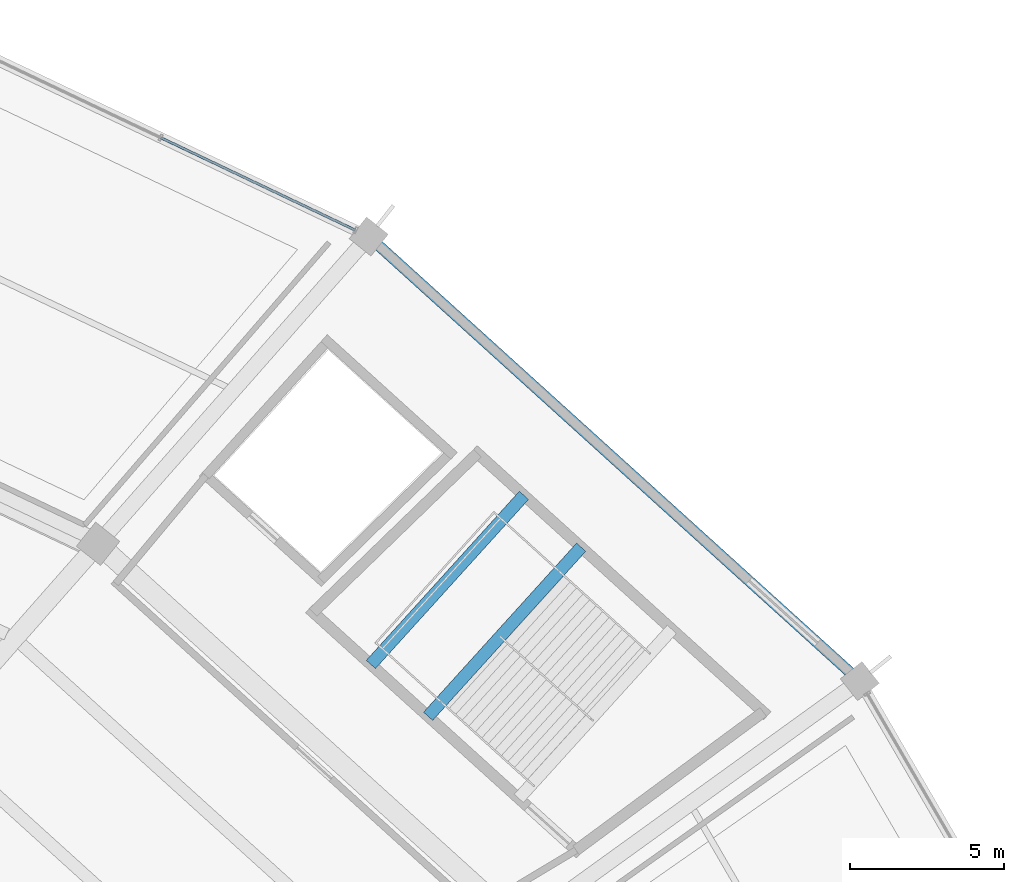
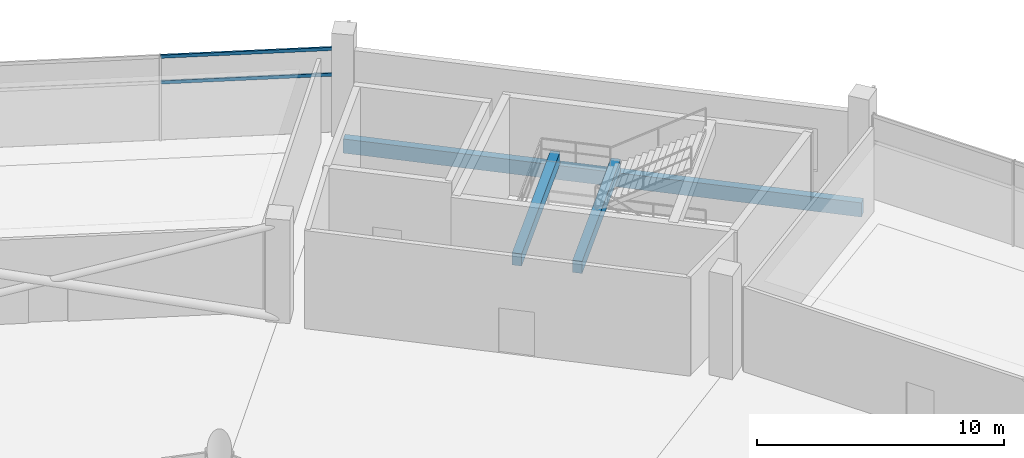
# One storey, part 131 of 184: 3 beams, 2 members, 1 element without a shape of its own.
"""IFC4 building model written with IfcOpenShell, lengths in metres."""

from ifc_helpers import new_model, si_unit, direction, frame, origin, origin_2d, place, context, subcontext, project, spatial, rectangle, hollow_rectangle, extrude, material, layer, layer_set, material_profile, profile_set, type_object, element, aggregate, save


model = new_model("IFC4")

# Units and contexts
model_context = context("Model", 3, precision=1e-05, world=origin(), true_north=direction((0.0, 1.0)))
body_context = subcontext(model_context, "Body", "Model", "MODEL_VIEW")
ifc_project = project(units=[si_unit("LENGTHUNIT", "METRE"), si_unit("AREAUNIT", "SQUARE_METRE"), si_unit("VOLUMEUNIT", "CUBIC_METRE"), si_unit("PLANEANGLEUNIT", "RADIAN"), si_unit("MASSUNIT", "GRAM", prefix="KILO")], contexts=[model_context])

# Site, building, storey
site_placement = place(None, origin())
site = spatial("IfcSite", under=ifc_project, at=site_placement, CompositionType="ELEMENT")
building_placement = place(site_placement, origin())
building = spatial("IfcBuilding", under=site, at=building_placement, Name="Kazemori Nagisa Stadium", CompositionType="ELEMENT")
storey_placement = place(building_placement, frame((0.0, 0.0, 10.5400390625)))
storey = spatial("IfcBuildingStorey", under=building, at=storey_placement, Name="L02", CompositionType="ELEMENT", Elevation=10.5400390625)

# Beams
ifc_material_1 = material(Name="Concrete C40/50 (Fc42)", Category="concrete")
ifc_material_profile_1 = material_profile(ifc_material_1, rectangle(XDim=0.39990234375, YDim=0.60009765625, at=origin_2d()), Name="RC-BM-400x600")
ifc_profile_set_1 = profile_set([ifc_material_profile_1], Name="Concrete C40/50 (Fc42)")
beam_type_1 = type_object("IfcBeamType", Name="Beam_BG-LND400X600", PredefinedType="BEAM", material=ifc_profile_set_1)
beam_1_placement = place(storey_placement, frame((187.518798828125, 157.52587890625, 2.050048828125), z_axis=(0.67111151489, 0.741356415351, 0.0), x_axis=(-0.741356415351, 0.67111151489, 0.0)))
element("IfcBeam", 1, at=beam_1_placement, inside=storey, type_object=beam_type_1, Name="Core stair mid-landing girder ST01-L02-1", PredefinedType="BEAM", context=body_context, shape_type="SweptSolid", body=[
    extrude(rectangle(XDim=0.39990234375, YDim=0.60009765625, at=origin_2d()), origin(), (0.0, 0.0, 1.0), 7.385498046875),
])
beam_2_placement = place(storey_placement, frame((185.665283203125, 159.20361328125, 2.050048828125), z_axis=(0.671113236271, 0.74135485707, 0.0), x_axis=(-0.74135485707, 0.671113236271, 0.0)))
element("IfcBeam", 2, at=beam_2_placement, inside=storey, type_object=beam_type_1, Name="Core stair mid-landing girder ST01-L02-2", PredefinedType="BEAM", context=body_context, shape_type="SweptSolid", body=[
    extrude(rectangle(XDim=0.39990234375, YDim=0.60009765625, at=origin_2d()), origin(), (0.0, 0.0, 1.0), 7.385986328125),
])
ifc_material_profile_2 = material_profile(ifc_material_1, rectangle(XDim=0.35009765625, YDim=0.699951171875, at=origin_2d()), Name="RC-SP-350x700")
ifc_profile_set_2 = profile_set([ifc_material_profile_2], Name="Concrete C40/50 (Fc42)")
beam_type_2 = type_object("IfcBeamType", Name="Beam_BS-RC350X700", PredefinedType="SPANDREL", material=ifc_profile_set_2)
beam_3_placement = place(storey_placement, frame((201.495361328125, 158.667724609375, -0.610107421875), z_axis=(-0.741351531326, 0.671116910084, 0.0), x_axis=(-0.671116910084, -0.741351531326, 0.0)))
element("IfcBeam", 3, at=beam_3_placement, inside=storey, type_object=beam_type_2, Name="Ring girder BS-RC350X700 L02 R3-04", PredefinedType="SPANDREL", context=body_context, shape_type="SweptSolid", body=[
    extrude(rectangle(XDim=0.35009765625, YDim=0.699951171875, at=origin_2d()), origin(), (0.0, 0.0, 1.0), 21.44384765625),
])

# Curtain wall, members
ifc_material_2 = material(Name="Anodised aluminium 6063-T5", Category="aluminium")
ifc_layer = layer(ifc_material_2, 0.2099609375, Name="Anodised aluminium 6063-T5", Category="aluminium")
ifc_layer_set = layer_set([ifc_layer], Name="Anodised aluminium 6063-T5")
curtain_wall_type = type_object("IfcCurtainWallType", Name="CW_L02R3_105", PredefinedType="USERDEFINED", material=ifc_layer_set)
curtain_wall_placement = place(storey_placement, origin())
curtain_wall = element("IfcCurtainWall", 4, at=curtain_wall_placement, inside=storey, type_object=curtain_wall_type, Name="Unitised curtain wall CW-L02R3-105 L02", ObjectType="UNITISED CURTAIN WALL", PredefinedType="USERDEFINED")
ifc_material_3 = material(Name="Aluminium 6063-T5 anodised", Category="aluminium")
ifc_material_profile_3 = material_profile(ifc_material_3, hollow_rectangle(XDim=0.080078125, YDim=0.159912109375, WallThickness=0.00390625, at=origin_2d()), Name="ALU-TRAN-80x160x4")
ifc_profile_set_3 = profile_set([ifc_material_profile_3], Name="Aluminium 6063-T5 anodised")
member_type = type_object("IfcMemberType", Name="Transom_T02", PredefinedType="USERDEFINED", material=ifc_profile_set_3)
member_1_placement = place(storey_placement, frame((185.15087890625, 173.271484375, 2.84912109375), z_axis=(-0.903221322461, 0.429175072264, 0.0), x_axis=(-0.429175072264, -0.903221322461, 0.0)))
member_1 = element("IfcMember", 5, at=member_1_placement, type_object=member_type, Name="Curtain wall transom CW-L02R3-105-T1-mid", ObjectType="TRANSOM", PredefinedType="USERDEFINED", context=body_context, shape_type="SweptSolid", body=[
    extrude(hollow_rectangle(XDim=0.080078125, YDim=0.159912109375, WallThickness=0.00390625, at=origin_2d()), origin(), (0.0, 0.0, 1.0), 6.947998046875),
])
member_2_placement = place(storey_placement, frame((185.15087890625, 173.271484375, 4.119873046875), z_axis=(-0.903221322461, 0.429175072264, 0.0), x_axis=(-0.429175072264, -0.903221322461, 0.0)))
member_2 = element("IfcMember", 6, at=member_2_placement, type_object=member_type, Name="Curtain wall transom CW-L02R3-105-T1-head", ObjectType="TRANSOM", PredefinedType="USERDEFINED", context=body_context, shape_type="SweptSolid", body=[
    extrude(hollow_rectangle(XDim=0.080078125, YDim=0.159912109375, WallThickness=0.00390625, at=origin_2d()), origin(), (0.0, 0.0, 1.0), 6.947998046875),
])
aggregate(curtain_wall, [member_1, member_2])

save(model, "model.ifc")
